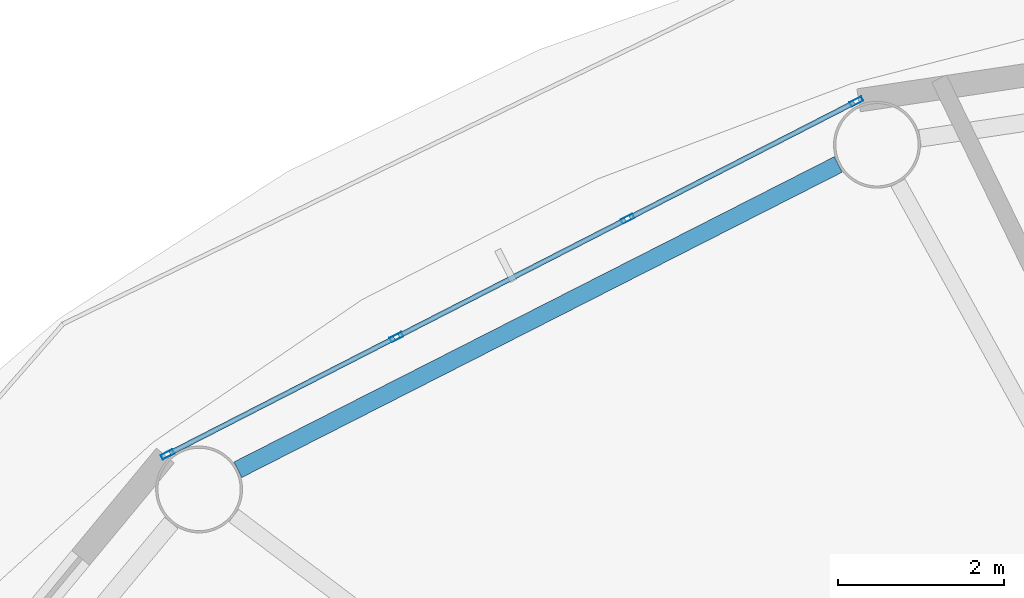
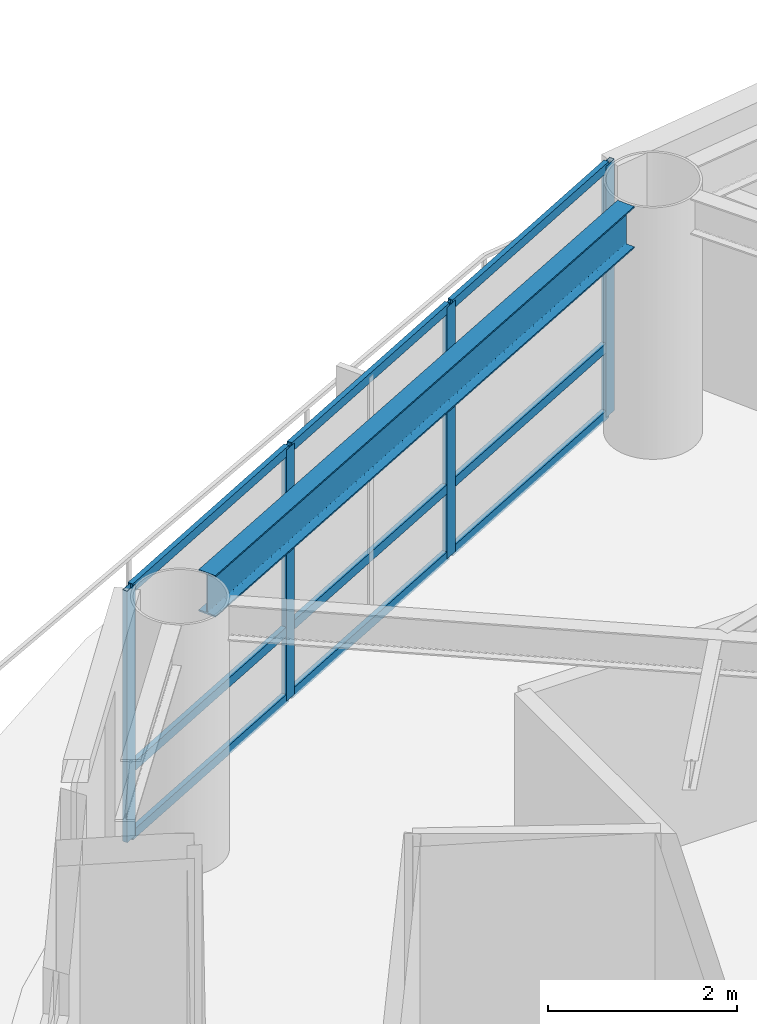
# One storey, part 12 of 24: 13 members, 1 beam, 1 element without a shape of its own.
"""IFC4 building model written with IfcOpenShell, lengths in metres."""

from ifc_helpers import new_model, si_unit, direction, frame, origin, origin_2d, place, context, subcontext, project, spatial, hollow_rectangle, i_section, extrude, material, layer, layer_set, material_profile, profile_set, type_object, element, aggregate, save


model = new_model("IFC4")

# Units and contexts
model_context = context("Model", 3, precision=1e-05, world=origin(), true_north=direction((0.0, 1.0)))
body_context = subcontext(model_context, "Body", "Model", "MODEL_VIEW")
ifc_project = project(units=[si_unit("LENGTHUNIT", "METRE"), si_unit("AREAUNIT", "SQUARE_METRE"), si_unit("VOLUMEUNIT", "CUBIC_METRE"), si_unit("PLANEANGLEUNIT", "RADIAN"), si_unit("MASSUNIT", "GRAM", prefix="KILO")], contexts=[model_context])

# Site, building, storey
site_placement = place(None, origin())
site = spatial("IfcSite", under=ifc_project, at=site_placement, CompositionType="ELEMENT")
building_placement = place(site_placement, origin())
building = spatial("IfcBuilding", under=site, at=building_placement, Name="Sarneth Arch Tower", CompositionType="ELEMENT")
storey_placement = place(building_placement, frame((0.0, 0.0, 253.199951171875)))
storey = spatial("IfcBuildingStorey", under=building, at=storey_placement, Name="L65", CompositionType="ELEMENT", Elevation=253.199951171875)

# Beam
ifc_material_1 = material(Name="Steel S355", Category="steel")
ifc_material_profile_1 = material_profile(ifc_material_1, i_section(OverallWidth=0.2109375, OverallDepth=0.5390625, WebThickness=0.01171875, FlangeThickness=0.018798828125, FilletRadius=0.01806640625, at=origin_2d()), Name="W530x109")
ifc_profile_set_1 = profile_set([ifc_material_profile_1], Name="Steel S355")
beam_type = type_object("IfcBeamType", Name="BM-RAD-530B", PredefinedType="BEAM", material=ifc_profile_set_1)
beam_placement = place(storey_placement, frame((37.7412109375, 59.50048828125, 2.98046875), z_axis=(-0.891368271482, -0.453279830342, 0.0), x_axis=(0.453279830342, -0.891368271482, 0.0)))
element("IfcBeam", 1, at=beam_placement, inside=storey, type_object=beam_type, Name="L65 Perimeter spandrel beam 06", PredefinedType="BEAM", context=body_context, shape_type="SweptSolid", body=[
    extrude(i_section(OverallWidth=0.2109375, OverallDepth=0.5390625, WebThickness=0.01171875, FlangeThickness=0.018798828125, FilletRadius=0.01806640625, at=origin_2d()), origin(), (0.0, 0.0, 1.0), 8.1318359375),
])

# Curtain wall, members
ifc_material_2 = material(Name="Anodised aluminium Type AA25 and solar-control low-e laminated IGU", Category="aluminium")
ifc_layer = layer(ifc_material_2, 0.179931640625)
ifc_layer_set = layer_set([ifc_layer], Name="Anodised aluminium Type AA25 and solar-control low-e laminated IGU")
curtain_wall_type = type_object("IfcCurtainWallType", Name="CW-RES-HIGH", PredefinedType="NOTDEFINED", material=ifc_layer_set)
curtain_wall_placement = place(storey_placement, origin())
curtain_wall = element("IfcCurtainWall", 2, at=curtain_wall_placement, inside=storey, type_object=curtain_wall_type, Name="L65 Unitised curtain wall facet 06", PredefinedType="NOTDEFINED")
ifc_material_3 = material(Name="Anodised Aluminium 6063-T6", Category="aluminium")
ifc_material_profile_2 = material_profile(ifc_material_3, hollow_rectangle(XDim=0.06005859375, YDim=0.159912109375, WallThickness=0.00390625, at=origin_2d()), Name="AL-MULL-160x60x4")
ifc_profile_set_2 = profile_set([ifc_material_profile_2], Name="Anodised Aluminium 6063-T6")
member_type_1 = type_object("IfcMemberType", Name="CW-MULLION", PredefinedType="MULLION", material=ifc_profile_set_2)
member_1_placement = place(storey_placement, frame((37.960693359375, 60.2607421875, 0.0), z_axis=(0.0, 0.0, 1.0), x_axis=(0.455941901753, -0.890009540525, 0.0)))
member_1 = element("IfcMember", 3, at=member_1_placement, type_object=member_type_1, Name="CW-SYS-6 mullion 1", PredefinedType="MULLION", context=body_context, shape_type="SweptSolid", body=[
    extrude(hollow_rectangle(XDim=0.06005859375, YDim=0.159912109375, WallThickness=0.00390625, at=origin_2d()), origin(), (0.0, 0.0, 1.0), 3.25),
])
member_2_placement = place(storey_placement, frame((35.197509765625, 58.844970703125, 0.0), z_axis=(0.0, 0.0, 1.0), x_axis=(0.455941901753, -0.890009540525, 0.0)))
member_2 = element("IfcMember", 4, at=member_2_placement, type_object=member_type_1, Name="CW-SYS-6 mullion 2", PredefinedType="MULLION", context=body_context, shape_type="SweptSolid", body=[
    extrude(hollow_rectangle(XDim=0.06005859375, YDim=0.159912109375, WallThickness=0.00390625, at=origin_2d()), origin(), (0.0, 0.0, 1.0), 3.25),
])
member_3_placement = place(storey_placement, frame((32.407470703125, 57.415771484375, 0.0), z_axis=(0.0, 0.0, 1.0), x_axis=(0.455941901753, -0.890009540525, 0.0)))
member_3 = element("IfcMember", 5, at=member_3_placement, type_object=member_type_1, Name="CW-SYS-6 mullion 3", PredefinedType="MULLION", context=body_context, shape_type="SweptSolid", body=[
    extrude(hollow_rectangle(XDim=0.06005859375, YDim=0.159912109375, WallThickness=0.00390625, at=origin_2d()), origin(), (0.0, 0.0, 1.0), 3.25),
])
member_4_placement = place(storey_placement, frame((29.644287109375, 56.000244140625, 0.0), z_axis=(0.0, 0.0, 1.0), x_axis=(0.455941901753, -0.890009540525, 0.0)))
member_4 = element("IfcMember", 6, at=member_4_placement, type_object=member_type_1, Name="CW-SYS-6 mullion 4", PredefinedType="MULLION", context=body_context, shape_type="SweptSolid", body=[
    extrude(hollow_rectangle(XDim=0.06005859375, YDim=0.159912109375, WallThickness=0.00390625, at=origin_2d()), origin(), (0.0, 0.0, 1.0), 3.25),
])
ifc_material_4 = material(Name="Anodised Aluminium 6063-T6", Category="aluminium")
ifc_material_profile_3 = material_profile(ifc_material_4, hollow_rectangle(XDim=0.06005859375, YDim=0.1201171875, WallThickness=0.00390625, at=origin_2d()), Name="AL-TRAN-120x60x4")
ifc_profile_set_3 = profile_set([ifc_material_profile_3], Name="Anodised Aluminium 6063-T6")
member_type_2 = type_object("IfcMemberType", Name="CW-TRANSOM", PredefinedType="USERDEFINED", material=ifc_profile_set_3)
member_5_placement = place(storey_placement, frame((37.933837890625, 60.2470703125, 0.030029296875), z_axis=(-0.889973523166, -0.456012201662, 0.0), x_axis=(0.456012201662, -0.889973523166, 0.0)))
member_5 = element("IfcMember", 7, at=member_5_placement, type_object=member_type_2, Name="CW-SYS-6 transom 1.1", ObjectType="TRANSOM", PredefinedType="USERDEFINED", context=body_context, shape_type="SweptSolid", body=[
    extrude(hollow_rectangle(XDim=0.06005859375, YDim=0.1201171875, WallThickness=0.00390625, at=origin_2d()), origin(), (0.0, 0.0, 1.0), 3.044677734375),
])
member_6_placement = place(storey_placement, frame((37.933837890625, 60.2470703125, 0.900146484375), z_axis=(-0.889973523166, -0.456012201662, 0.0), x_axis=(0.456012201662, -0.889973523166, 0.0)))
member_6 = element("IfcMember", 8, at=member_6_placement, type_object=member_type_2, Name="CW-SYS-6 transom 1.2", ObjectType="TRANSOM", PredefinedType="USERDEFINED", context=body_context, shape_type="SweptSolid", body=[
    extrude(hollow_rectangle(XDim=0.06005859375, YDim=0.1201171875, WallThickness=0.00390625, at=origin_2d()), origin(), (0.0, 0.0, 1.0), 3.044677734375),
])
member_7_placement = place(storey_placement, frame((37.933837890625, 60.2470703125, 3.219970703125), z_axis=(-0.889973523166, -0.456012201662, 0.0), x_axis=(0.456012201662, -0.889973523166, 0.0)))
member_7 = element("IfcMember", 9, at=member_7_placement, type_object=member_type_2, Name="CW-SYS-6 transom 1.3", ObjectType="TRANSOM", PredefinedType="USERDEFINED", context=body_context, shape_type="SweptSolid", body=[
    extrude(hollow_rectangle(XDim=0.06005859375, YDim=0.1201171875, WallThickness=0.00390625, at=origin_2d()), origin(), (0.0, 0.0, 1.0), 3.044677734375),
])
member_8_placement = place(storey_placement, frame((35.170654296875, 58.831298828125, 0.030029296875), z_axis=(-0.890017432405, -0.455926496286, 0.0), x_axis=(0.455926496286, -0.890017432405, 0.0)))
member_8 = element("IfcMember", 10, at=member_8_placement, type_object=member_type_2, Name="CW-SYS-6 transom 2.1", ObjectType="TRANSOM", PredefinedType="USERDEFINED", context=body_context, shape_type="SweptSolid", body=[
    extrude(hollow_rectangle(XDim=0.06005859375, YDim=0.1201171875, WallThickness=0.00390625, at=origin_2d()), origin(), (0.0, 0.0, 1.0), 3.07470703125),
])
member_9_placement = place(storey_placement, frame((35.170654296875, 58.831298828125, 0.900146484375), z_axis=(-0.890017432405, -0.455926496286, 0.0), x_axis=(0.455926496286, -0.890017432405, 0.0)))
member_9 = element("IfcMember", 11, at=member_9_placement, type_object=member_type_2, Name="CW-SYS-6 transom 2.2", ObjectType="TRANSOM", PredefinedType="USERDEFINED", context=body_context, shape_type="SweptSolid", body=[
    extrude(hollow_rectangle(XDim=0.06005859375, YDim=0.1201171875, WallThickness=0.00390625, at=origin_2d()), origin(), (0.0, 0.0, 1.0), 3.07470703125),
])
member_10_placement = place(storey_placement, frame((35.170654296875, 58.831298828125, 3.219970703125), z_axis=(-0.890017432405, -0.455926496286, 0.0), x_axis=(0.455926496286, -0.890017432405, 0.0)))
member_10 = element("IfcMember", 12, at=member_10_placement, type_object=member_type_2, Name="CW-SYS-6 transom 2.3", ObjectType="TRANSOM", PredefinedType="USERDEFINED", context=body_context, shape_type="SweptSolid", body=[
    extrude(hollow_rectangle(XDim=0.06005859375, YDim=0.1201171875, WallThickness=0.00390625, at=origin_2d()), origin(), (0.0, 0.0, 1.0), 3.07470703125),
])
member_11_placement = place(storey_placement, frame((32.380859375, 57.402099609375, 0.030029296875), z_axis=(-0.890022732705, -0.455916149384, 0.0), x_axis=(0.455916149384, -0.890022732705, 0.0)))
member_11 = element("IfcMember", 13, at=member_11_placement, type_object=member_type_2, Name="CW-SYS-6 transom 3.1", ObjectType="TRANSOM", PredefinedType="USERDEFINED", context=body_context, shape_type="SweptSolid", body=[
    extrude(hollow_rectangle(XDim=0.06005859375, YDim=0.1201171875, WallThickness=0.00390625, at=origin_2d()), origin(), (0.0, 0.0, 1.0), 3.044921875),
])
member_12_placement = place(storey_placement, frame((32.380859375, 57.402099609375, 0.900146484375), z_axis=(-0.890022732705, -0.455916149384, 0.0), x_axis=(0.455916149384, -0.890022732705, 0.0)))
member_12 = element("IfcMember", 14, at=member_12_placement, type_object=member_type_2, Name="CW-SYS-6 transom 3.2", ObjectType="TRANSOM", PredefinedType="USERDEFINED", context=body_context, shape_type="SweptSolid", body=[
    extrude(hollow_rectangle(XDim=0.06005859375, YDim=0.1201171875, WallThickness=0.00390625, at=origin_2d()), origin(), (0.0, 0.0, 1.0), 3.044921875),
])
member_13_placement = place(storey_placement, frame((32.380859375, 57.402099609375, 3.219970703125), z_axis=(-0.890022732705, -0.455916149384, 0.0), x_axis=(0.455916149384, -0.890022732705, 0.0)))
member_13 = element("IfcMember", 15, at=member_13_placement, type_object=member_type_2, Name="CW-SYS-6 transom 3.3", ObjectType="TRANSOM", PredefinedType="USERDEFINED", context=body_context, shape_type="SweptSolid", body=[
    extrude(hollow_rectangle(XDim=0.06005859375, YDim=0.1201171875, WallThickness=0.00390625, at=origin_2d()), origin(), (0.0, 0.0, 1.0), 3.044921875),
])
aggregate(curtain_wall, [member_1, member_2, member_3, member_4, member_5, member_6, member_7, member_8, member_9, member_10, member_11, member_12, member_13])

save(model, "model.ifc")
